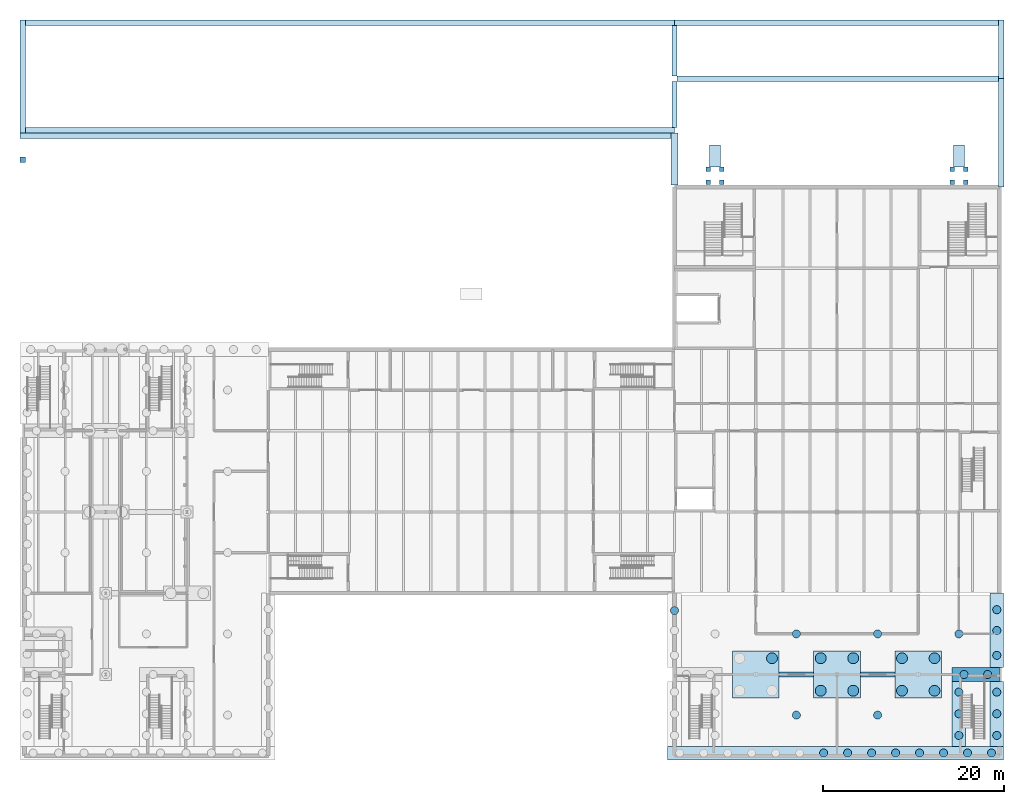
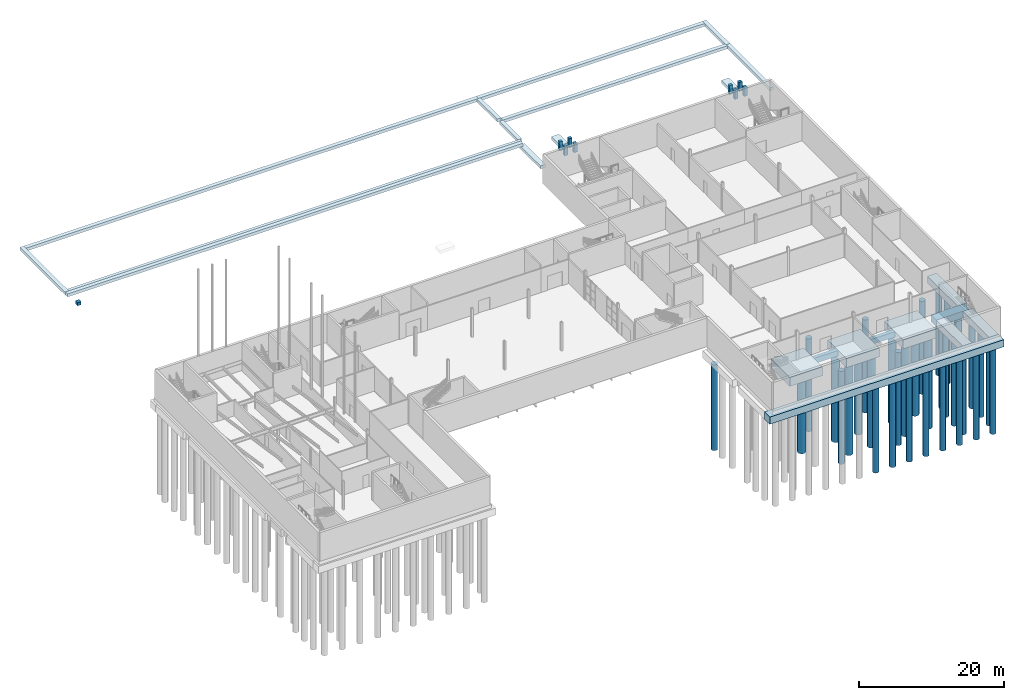
# One storey, part 2 of 31: 34 piles, 32 footings.
"""IFC4 building model written with IfcOpenShell, lengths in metres."""

import ifcopenshell
import ifcopenshell.guid

model = None  # the IFC model being written
_history = None  # IfcOwnerHistory: only IFC2X3 demands one
_inside = {}  # id of a spatial element -> (the spatial element, [elements in it])
_under = {}  # id of a project, library or spatial element -> (it, [spatial elements below it])
_declared = {}  # id of a project -> (the project, [libraries it declares])
_typed = {}  # id of a type object -> (the type object, [elements of that type])
_made_of = {}  # id of a material, layer set ... -> (it, [elements and type objects made of it])


def new_model(schema):
    """Start an empty IFC model of exactly this schema.

    Asked for "IFC4X3", IfcOpenShell would pick the latest addendum, in which some entities
    have other attributes; the version numbers below select the first issue.
    IFC2X3 requires an IfcOwnerHistory on every rooted entity: one is made here for all.
    """
    global model, _history
    if schema == "IFC4X3":
        model = ifcopenshell.file(schema_version=(4, 3, 0, 0))
    else:
        model = ifcopenshell.file(schema=schema)
    _inside.clear()
    _under.clear()
    _declared.clear()
    _typed.clear()
    _made_of.clear()
    _history = None
    if model.schema == "IFC2X3":
        org = make("IfcOrganization", Name="unknown")
        user = make(
            "IfcPersonAndOrganization",
            ThePerson=make("IfcPerson", FamilyName="unknown"),
            TheOrganization=org,
        )
        app = make(
            "IfcApplication",
            ApplicationDeveloper=org,
            Version="unknown",
            ApplicationFullName="unknown",
            ApplicationIdentifier="unknown",
        )
        _history = make(
            "IfcOwnerHistory",
            OwningUser=user,
            OwningApplication=app,
            ChangeAction="ADDED",
            CreationDate=0,
        )
    return model


def make(cls, **values):
    """One entity of the class cls with the attributes given. An attribute that is None is left unset."""
    return model.create_entity(
        cls, **{name: value for name, value in values.items() if value is not None}
    )


def rooted(cls, **values):
    """An entity with a GlobalId (a new one), such as an element, a storey or a relation."""
    return make(cls, GlobalId=ifcopenshell.guid.new(), OwnerHistory=_history, **values)


def si_unit(unit_type, name, prefix=None):
    """IfcSIUnit, for example si_unit("LENGTHUNIT", "METRE", prefix="MILLI")."""
    return make("IfcSIUnit", UnitType=unit_type, Prefix=prefix, Name=name)


def assignment(units):
    """IfcUnitAssignment: the units of a project."""
    return None if units is None else make("IfcUnitAssignment", Units=units)


def point(xyz):
    """IfcCartesianPoint."""
    return None if xyz is None else make("IfcCartesianPoint", Coordinates=xyz)


def direction(xyz):
    """IfcDirection."""
    return None if xyz is None else make("IfcDirection", DirectionRatios=xyz)


def frame(location, z_axis=None, x_axis=None):
    """IfcAxis2Placement3D, a coordinate frame: its origin and axes. An axis left out is left unset."""
    return make(
        "IfcAxis2Placement3D",
        Location=point(location),
        Axis=direction(z_axis),
        RefDirection=direction(x_axis),
    )


def frame_2d(location, x_axis=None):
    """IfcAxis2Placement2D, a coordinate frame in the plane: its origin and x axis."""
    return make(
        "IfcAxis2Placement2D", Location=point(location), RefDirection=direction(x_axis)
    )


def origin():
    """The frame at (0, 0, 0) with its axes left unset."""
    return frame((0.0, 0.0, 0.0))


def origin_2d():
    """The frame at (0, 0) in the plane with its x axis left unset."""
    return frame_2d((0.0, 0.0))


def place(relative_to, where):
    """IfcLocalPlacement: puts the frame where relative to a parent placement (None: the world)."""
    return make(
        "IfcLocalPlacement", PlacementRelTo=relative_to, RelativePlacement=where
    )


def context(
    kind, dimensions, precision=None, world=None, true_north=None, identifier=None
):
    """IfcGeometricRepresentationContext, for example the 3D "Model" context."""
    return make(
        "IfcGeometricRepresentationContext",
        ContextIdentifier=identifier,
        ContextType=kind,
        CoordinateSpaceDimension=dimensions,
        Precision=precision,
        WorldCoordinateSystem=world,
        TrueNorth=true_north,
    )


def subcontext(parent, identifier, kind, view, scale=None):
    """IfcGeometricRepresentationSubContext, for example "Body" below "Model"."""
    return make(
        "IfcGeometricRepresentationSubContext",
        ContextIdentifier=identifier,
        ContextType=kind,
        ParentContext=parent,
        TargetScale=scale,
        TargetView=view,
    )


def project(units=None, contexts=None):
    """IfcProject with its units and contexts."""
    return rooted(
        "IfcProject",
        Name="project",
        RepresentationContexts=contexts,
        UnitsInContext=assignment(units),
    )


def spatial(cls, under=None, at=None, **own):
    """A site, building, storey or space (cls), placed at a placement, below another one or the project."""
    s = rooted(cls, ObjectPlacement=at, **own)
    if under is not None:
        _under.setdefault(under.id(), (under, []))[1].append(s)
    return s


def polyline(points):
    """IfcPolyline through the points."""
    return make("IfcPolyline", Points=[point(p) for p in points])


def profile(cls, at=None, kind="AREA", **sizes):
    """A parametric profile (cls). Its sizes go by their IFC names, for example OverallWidth=200.0."""
    return make(cls, ProfileType=kind, Position=at, **sizes)


def circle(**sizes):
    """IfcCircleProfileDef."""
    return profile("IfcCircleProfileDef", **sizes)


def outline(outer, holes=None, kind="AREA"):
    """IfcArbitraryClosedProfileDef: a profile drawn as a closed curve; with holes, ...WithVoids."""
    if holes is None:
        return make("IfcArbitraryClosedProfileDef", ProfileType=kind, OuterCurve=outer)
    return make(
        "IfcArbitraryProfileDefWithVoids",
        ProfileType=kind,
        OuterCurve=outer,
        InnerCurves=holes,
    )


def extrude(swept, where, along, depth):
    """IfcExtrudedAreaSolid: the profile swept, set in the frame where, extruded along a direction by depth."""
    return make(
        "IfcExtrudedAreaSolid",
        SweptArea=swept,
        Position=where,
        ExtrudedDirection=direction(along),
        Depth=depth,
    )


def shape(context_of_items, identifier, shape_type, items):
    """IfcShapeRepresentation: the items that make up one representation, for example the "Body"."""
    return make(
        "IfcShapeRepresentation",
        ContextOfItems=context_of_items,
        RepresentationIdentifier=identifier,
        RepresentationType=shape_type,
        Items=items,
    )


def material(Name=None, Category=None):
    """IfcMaterial."""
    return make("IfcMaterial", Name=Name, Category=Category)


def layer(
    of_material, thickness, ventilated=None, Name=None, Category=None, Priority=None
):
    """IfcMaterialLayer: one layer of a wall or slab, of a material (None: an air gap)."""
    return make(
        "IfcMaterialLayer",
        Material=of_material,
        LayerThickness=thickness,
        IsVentilated=ventilated,
        Name=Name,
        Category=Category,
        Priority=Priority,
    )


def layer_set(layers, Name=None):
    """IfcMaterialLayerSet."""
    return make("IfcMaterialLayerSet", MaterialLayers=layers, LayerSetName=Name)


def material_profile(
    of_material, cross_section, Name=None, Category=None, Priority=None
):
    """IfcMaterialProfile: a cross section and its material."""
    return make(
        "IfcMaterialProfile",
        Name=Name,
        Material=of_material,
        Profile=cross_section,
        Priority=Priority,
        Category=Category,
    )


def profile_set(profiles, Name=None, composite=None):
    """IfcMaterialProfileSet."""
    return make(
        "IfcMaterialProfileSet",
        Name=Name,
        MaterialProfiles=profiles,
        CompositeProfile=composite,
    )


def made_of(thing, what):
    """Note that an element or type object is made of a material, layer set ...; save() writes the relation."""
    if what is not None:
        _made_of.setdefault(what.id(), (what, []))[1].append(thing)
    return thing


def type_object(cls, material=None, **own):
    """A type object (cls), such as IfcWallType, which elements share."""
    return made_of(rooted(cls, **own), material)


def element(
    cls,
    number,
    at=None,
    inside=None,
    cuts=None,
    type_object=None,
    material=None,
    context=None,
    identifier="Body",
    shape_type=None,
    held_by="IfcProductDefinitionShape",
    body=None,
    shapes=None,
    **own,
):
    """One element of the class cls, such as IfcWall. Its Tag is "e" and its number.

    at: its placement. inside: the storey or other place that contains it. cuts: it is an
    opening in that element (IfcRelVoidsElement). A single representation is given by context,
    identifier, shape_type and body (its items); several are given by shapes. held_by: the class
    of the entity that holds the representations. save() writes the other relations.
    """
    e = rooted(cls, Tag="e%d" % number, ObjectPlacement=at, **own)
    if body is not None:
        shapes = [shape(context, identifier, shape_type, body)]
    if shapes is not None:
        e.Representation = make(held_by, Representations=shapes)
    if inside is not None:
        _inside.setdefault(inside.id(), (inside, []))[1].append(e)
    if cuts is not None:
        rooted(
            "IfcRelVoidsElement", RelatingBuildingElement=cuts, RelatedOpeningElement=e
        )
    if type_object is not None:
        _typed.setdefault(type_object.id(), (type_object, []))[1].append(e)
    return made_of(e, material)


def aggregate(whole, parts):
    """IfcRelAggregates: a whole, such as a stair, and the parts it consists of."""
    return rooted("IfcRelAggregates", RelatingObject=whole, RelatedObjects=parts)


def save(model, path):
    """Write the relations noted so far, then the file.

    IfcRelAggregates (storeys below a building ...), IfcRelContainedInSpatialStructure (elements
    in a storey), IfcRelDefinesByType, IfcRelAssociatesMaterial and IfcRelDeclares: one each for
    every whole, place, type object, material and project.
    """
    for whole, parts in _under.values():
        aggregate(whole, parts)
    for where, things in _inside.values():
        rooted(
            "IfcRelContainedInSpatialStructure",
            RelatedElements=things,
            RelatingStructure=where,
        )
    for kind, things in _typed.values():
        rooted("IfcRelDefinesByType", RelatedObjects=things, RelatingType=kind)
    for what, things in _made_of.values():
        rooted("IfcRelAssociatesMaterial", RelatedObjects=things, RelatingMaterial=what)
    for by, libraries in _declared.values():
        rooted("IfcRelDeclares", RelatingContext=by, RelatedDefinitions=libraries)
    model.write(path)


model = new_model("IFC4")

# Units and contexts
model_context = context("Model", 3, precision=1e-05, world=origin(), true_north=direction((0.0, 1.0)))
body_context = subcontext(model_context, "Body", "Model", "MODEL_VIEW")
ifc_project = project(units=[si_unit("LENGTHUNIT", "METRE"), si_unit("AREAUNIT", "SQUARE_METRE"), si_unit("VOLUMEUNIT", "CUBIC_METRE"), si_unit("PLANEANGLEUNIT", "RADIAN"), si_unit("MASSUNIT", "GRAM", prefix="KILO")], contexts=[model_context])

# Site, building, storey
site_placement = place(None, origin())
site = spatial("IfcSite", under=ifc_project, at=site_placement, CompositionType="ELEMENT")
building_placement = place(site_placement, origin())
building = spatial("IfcBuilding", under=site, at=building_placement, Name="Halyard Row Museum", CompositionType="ELEMENT")
storey_placement = place(building_placement, frame((0.0, 0.0, -4.800048828125)))
storey = spatial("IfcBuildingStorey", under=building, at=storey_placement, Name="B1", CompositionType="ELEMENT", Elevation=-4.800048828125)

# Piles
ifc_material_1 = material(Name="Concrete 40 MPa", Category="concrete")
ifc_material_profile_1 = material_profile(ifc_material_1, circle(Radius=0.60009765625, at=origin_2d()), Name="Bored pile 1200 x 15.1")
ifc_profile_set_1 = profile_set([ifc_material_profile_1], Name="Concrete 40 MPa")
pile_type_1 = type_object("IfcPileType", Name="Bored pile 1200 x 15.1", PredefinedType="BORED", material=ifc_profile_set_1)
for number, where, z_axis, x_axis, name in (
    (1, (82.800048828125, 10.800048828125, -2.099853515625), (0.0, 0.0, -1.0), (1.0, 0.0, 0.0), "pile:B1:10B:4"),
    (2, (88.199951171875, 7.199951171875, -2.099853515625), (0.0, 0.0, -1.0), (1.0, 0.0, 0.0), "pile:B1:11B:1"),
    (3, (91.800048828125, 7.199951171875, -2.099853515625), (0.0, 0.0, -1.0), (1.0, 0.0, 0.0), "pile:B1:11B:2"),
    (4, (88.199951171875, 10.800048828125, -2.099853515625), (0.0, 0.0, -1.0), (1.0, 0.0, 0.0), "pile:B1:11B:3"),
    (5, (91.800048828125, 10.800048828125, -2.099853515625), (0.0, 0.0, -1.0), (1.0, 0.0, 0.0), "pile:B1:11B:4"),
    (6, (97.199951171875, 7.199951171875, -2.099853515625), (0.0, 0.0, -1.0), (1.0, 0.0, 0.0), "pile:B1:12B:1"),
    (7, (100.800048828125, 7.199951171875, -2.099853515625), (0.0, 0.0, -1.0), (1.0, 0.0, 0.0), "pile:B1:12B:2"),
    (8, (97.199951171875, 10.800048828125, -2.099853515625), (0.0, 0.0, -1.0), (1.0, 0.0, 0.0), "pile:B1:12B:3"),
    (9, (100.800048828125, 10.800048828125, -2.099853515625), (0.0, 0.0, -1.0), (1.0, 0.0, 0.0), "pile:B1:12B:4"),
):
    element("IfcPile", number, at=place(storey_placement, frame(where, z_axis=z_axis, x_axis=x_axis)), inside=storey, type_object=pile_type_1, Name=name, PredefinedType="BORED", context=body_context, shape_type="SweptSolid", body=[
        extrude(circle(Radius=0.60009765625, at=origin_2d()), origin(), (0.0, 0.0, 1.0), 15.10009765625),
    ])
ifc_material_2 = material(Name="Concrete 40 MPa", Category="concrete")
ifc_material_profile_2 = material_profile(ifc_material_2, circle(Radius=0.449951171875, at=origin_2d()), Name="Bored pile 900 x 14.4")
ifc_profile_set_2 = profile_set([ifc_material_profile_2], Name="Concrete 40 MPa")
pile_type_2 = type_object("IfcPileType", Name="Bored pile 900 x 14.4", PredefinedType="BORED", material=ifc_profile_set_2)
for number, where, z_axis, x_axis, name in (
    (10, (72.0, 16.074951171875, -1.800048828125), (0.0, 0.0, -1.0), (1.0, 0.0, 0.0), "pile:B1:50:3"),
    (11, (103.5, 2.25, -1.800048828125), (0.0, 0.0, -1.0), (1.0, 0.0, 0.0), "pile:B1:52:1"),
    (12, (103.5, 4.64990234375, -1.800048828125), (0.0, 0.0, -1.0), (1.0, 0.0, 0.0), "pile:B1:52:2"),
    (13, (103.5, 7.050048828125, -1.800048828125), (0.0, 0.0, -1.0), (1.0, 0.0, 0.0), "pile:B1:52:3"),
    (14, (107.699951171875, 2.25, -1.800048828125), (0.0, 0.0, -1.0), (1.0, 0.0, 0.0), "pile:B1:53:1"),
    (15, (107.699951171875, 4.64990234375, -1.800048828125), (0.0, 0.0, -1.0), (1.0, 0.0, 0.0), "pile:B1:53:2"),
    (16, (107.699951171875, 7.050048828125, -1.800048828125), (0.0, 0.0, -1.0), (1.0, 0.0, 0.0), "pile:B1:53:3"),
    (17, (107.699951171875, 11.125, -1.800048828125), (0.0, 0.0, -1.0), (1.0, 0.0, 0.0), "pile:B1:54:1"),
    (18, (107.699951171875, 13.875, -1.800048828125), (0.0, 0.0, -1.0), (1.0, 0.0, 0.0), "pile:B1:54:2"),
    (19, (107.699951171875, 16.175048828125, -1.800048828125), (0.0, 0.0, -1.0), (1.0, 0.0, 0.0), "pile:B1:54:3"),
    (20, (88.521484375, 0.300048828125, -1.800048828125), (0.0, 0.0, -1.0), (1.0, 0.0, 0.0), "pile:B1:56:7"),
    (21, (91.178466796875, 0.300048828125, -1.800048828125), (0.0, 0.0, -1.0), (1.0, 0.0, 0.0), "pile:B1:56:8"),
    (22, (93.835693359375, 0.300048828125, -1.800048828125), (0.0, 0.0, -1.0), (1.0, 0.0, 0.0), "pile:B1:56:9"),
    (23, (96.492919921875, 0.300048828125, -1.800048828125), (0.0, 0.0, -1.0), (1.0, 0.0, 0.0), "pile:B1:56:10"),
    (24, (99.14990234375, 0.300048828125, -1.800048828125), (0.0, 0.0, -1.0), (1.0, 0.0, 0.0), "pile:B1:56:11"),
    (25, (101.80712890625, 0.300048828125, -1.800048828125), (0.0, 0.0, -1.0), (1.0, 0.0, 0.0), "pile:B1:56:12"),
    (26, (104.46435546875, 0.300048828125, -1.800048828125), (0.0, 0.0, -1.0), (1.0, 0.0, 0.0), "pile:B1:56:13"),
    (27, (107.121337890625, 0.300048828125, -1.800048828125), (0.0, 0.0, -1.0), (1.0, 0.0, 0.0), "pile:B1:56:14"),
    (28, (104.0625, 9.0, -1.800048828125), (0.0, 0.0, -1.0), (1.0, 0.0, 0.0), "pile:B1:60:1"),
    (29, (106.6875, 9.0, -1.800048828125), (0.0, 0.0, -1.0), (1.0, 0.0, 0.0), "pile:B1:60:2"),
):
    element("IfcPile", number, at=place(storey_placement, frame(where, z_axis=z_axis, x_axis=x_axis)), inside=storey, type_object=pile_type_2, Name=name, PredefinedType="BORED", context=body_context, shape_type="SweptSolid", body=[
        extrude(circle(Radius=0.449951171875, at=origin_2d()), origin(), (0.0, 0.0, 1.0), 14.39990234375),
    ])
ifc_material_3 = material(Name="Concrete 40 MPa", Category="concrete")
ifc_material_profile_3 = material_profile(ifc_material_3, circle(Radius=0.449951171875, at=origin_2d()), Name="Bored pile 900 x 15.6")
ifc_profile_set_3 = profile_set([ifc_material_profile_3], Name="Concrete 40 MPa")
pile_type_3 = type_object("IfcPileType", Name="Bored pile 900 x 15.6", PredefinedType="BORED", material=ifc_profile_set_3)
for number, where, z_axis, x_axis, name in (
    (30, (85.5, 4.5, -0.599853515625), (0.0, 0.0, -1.0), (1.0, 0.0, 0.0), "pile:B1:ten02"),
    (31, (94.5, 4.5, -0.599853515625), (0.0, 0.0, -1.0), (1.0, 0.0, 0.0), "pile:B1:ten03"),
    (32, (85.5, 13.5, -0.599853515625), (0.0, 0.0, -1.0), (1.0, 0.0, 0.0), "pile:B1:ten07"),
    (33, (94.5, 13.5, -0.599853515625), (0.0, 0.0, -1.0), (1.0, 0.0, 0.0), "pile:B1:ten08"),
    (34, (103.5, 13.5, -0.599853515625), (0.0, 0.0, -1.0), (1.0, 0.0, 0.0), "pile:B1:ten09"),
):
    element("IfcPile", number, at=place(storey_placement, frame(where, z_axis=z_axis, x_axis=x_axis)), inside=storey, type_object=pile_type_3, Name=name, PredefinedType="BORED", context=body_context, shape_type="SweptSolid", body=[
        extrude(circle(Radius=0.449951171875, at=origin_2d()), origin(), (0.0, 0.0, 1.0), 15.60009765625),
    ])

# Footings
ifc_material_4 = material(Name="Concrete 40 MPa", Category="concrete")
footing_type_1 = type_object("IfcFootingType", Name="Ground beam", PredefinedType="FOOTING_BEAM", material=ifc_material_4)
footing_1_placement = place(storey_placement, frame((0.0, 0.0, -1.5)))
element("IfcFooting", 35, at=footing_1_placement, inside=storey, type_object=footing_type_1, Name="Ground beam B1-032", PredefinedType="FOOTING_BEAM", context=body_context, shape_type="SweptSolid", body=[
    extrude(outline(polyline([(83.60009765625, 8.699951171875), (87.39990234375, 8.699951171875), (87.39990234375, 9.300048828125), (83.60009765625, 9.300048828125), (83.60009765625, 8.699951171875)])), origin(), (0.0, 0.0, 1.0), 0.900146484375),
])
footing_2_placement = place(storey_placement, frame((0.0, 0.0, -1.5)))
element("IfcFooting", 36, at=footing_2_placement, inside=storey, type_object=footing_type_1, Name="Ground beam B1-033", PredefinedType="FOOTING_BEAM", context=body_context, shape_type="SweptSolid", body=[
    extrude(outline(polyline([(92.60009765625, 8.699951171875), (96.39990234375, 8.699951171875), (96.39990234375, 9.300048828125), (92.60009765625, 9.300048828125), (92.60009765625, 8.699951171875)])), origin(), (0.0, 0.0, 1.0), 0.900146484375),
])
ifc_material_5 = material(Name="Concrete 40 MPa", Category="concrete")
footing_type_2 = type_object("IfcFootingType", Name="Pile cap 4 piles 1200", PredefinedType="PILE_CAP", material=ifc_material_5)
footing_3_placement = place(storey_placement, frame((0.0, 0.0, -2.099853515625)))
element("IfcFooting", 37, at=footing_3_placement, inside=storey, type_object=footing_type_2, Name="Pile cap 10B B1", PredefinedType="PILE_CAP", context=body_context, shape_type="SweptSolid", body=[
    extrude(outline(polyline([(78.39990234375, 6.39990234375), (83.60009765625, 6.39990234375), (83.60009765625, 11.60009765625), (78.39990234375, 11.60009765625), (78.39990234375, 6.39990234375)])), origin(), (0.0, 0.0, 1.0), 1.5),
])
footing_4_placement = place(storey_placement, frame((0.0, 0.0, -2.099853515625)))
element("IfcFooting", 38, at=footing_4_placement, inside=storey, type_object=footing_type_2, Name="Pile cap 11B B1", PredefinedType="PILE_CAP", context=body_context, shape_type="SweptSolid", body=[
    extrude(outline(polyline([(87.39990234375, 6.39990234375), (92.60009765625, 6.39990234375), (92.60009765625, 11.60009765625), (87.39990234375, 11.60009765625), (87.39990234375, 6.39990234375)])), origin(), (0.0, 0.0, 1.0), 1.5),
])
footing_5_placement = place(storey_placement, frame((0.0, 0.0, -2.099853515625)))
element("IfcFooting", 39, at=footing_5_placement, inside=storey, type_object=footing_type_2, Name="Pile cap 12B B1", PredefinedType="PILE_CAP", context=body_context, shape_type="SweptSolid", body=[
    extrude(outline(polyline([(96.39990234375, 6.39990234375), (101.60009765625, 6.39990234375), (101.60009765625, 11.60009765625), (96.39990234375, 11.60009765625), (96.39990234375, 6.39990234375)])), origin(), (0.0, 0.0, 1.0), 1.5),
])
ifc_material_6 = material(Name="Concrete 40 MPa", Category="concrete")
ifc_layer_1 = layer(ifc_material_6, 0.5)
ifc_layer_set_1 = layer_set([ifc_layer_1], Name="Concrete 40 MPa")
footing_type_3 = type_object("IfcFootingType", Name="Step footing 500 reinforced concrete", PredefinedType="PAD_FOOTING", material=ifc_layer_set_1)
footing_6_placement = place(storey_placement, frame((0.0, 0.0, 3.10009765625)))
element("IfcFooting", 40, at=footing_6_placement, inside=storey, type_object=footing_type_3, Name="Step footing K5A", PredefinedType="PAD_FOOTING", context=body_context, shape_type="SweptSolid", body=[
    extrude(outline(polyline([(75.89990234375, 65.199951171875), (77.10009765625, 65.199951171875), (77.10009765625, 67.64990234375), (75.89990234375, 67.64990234375), (75.89990234375, 65.199951171875)])), origin(), (0.0, 0.0, 1.0), 0.5),
])
footing_7_placement = place(storey_placement, frame((0.0, 0.0, 3.10009765625)))
element("IfcFooting", 41, at=footing_7_placement, inside=storey, type_object=footing_type_3, Name="Step footing K5B", PredefinedType="PAD_FOOTING", context=body_context, shape_type="SweptSolid", body=[
    extrude(outline(polyline([(102.89990234375, 65.199951171875), (104.10009765625, 65.199951171875), (104.10009765625, 67.64990234375), (102.89990234375, 67.64990234375), (102.89990234375, 65.199951171875)])), origin(), (0.0, 0.0, 1.0), 0.5),
])
ifc_material_7 = material(Name="Concrete 40 MPa", Category="concrete")
ifc_layer_2 = layer(ifc_material_7, 1.0)
ifc_layer_set_2 = layer_set([ifc_layer_2], Name="Concrete 40 MPa")
footing_type_4 = type_object("IfcFootingType", Name="Stoop pier 500 reinforced concrete", PredefinedType="PAD_FOOTING", material=ifc_layer_set_2)
footing_8_placement = place(storey_placement, frame((0.0, 0.0, 3.10009765625)))
element("IfcFooting", 42, at=footing_8_placement, inside=storey, type_object=footing_type_4, Name="Stoop pier K5A-1", PredefinedType="PAD_FOOTING", context=body_context, shape_type="SweptSolid", body=[
    extrude(outline(polyline([(75.5, 63.300048828125), (76.0, 63.300048828125), (76.0, 63.800048828125), (75.5, 63.800048828125), (75.5, 63.300048828125)])), origin(), (0.0, 0.0, 1.0), 1.5),
])
footing_9_placement = place(storey_placement, frame((0.0, 0.0, 3.10009765625)))
element("IfcFooting", 43, at=footing_9_placement, inside=storey, type_object=footing_type_4, Name="Stoop pier K5A-2", PredefinedType="PAD_FOOTING", context=body_context, shape_type="SweptSolid", body=[
    extrude(outline(polyline([(77.0, 63.300048828125), (77.5, 63.300048828125), (77.5, 63.800048828125), (77.0, 63.800048828125), (77.0, 63.300048828125)])), origin(), (0.0, 0.0, 1.0), 1.5),
])
footing_10_placement = place(storey_placement, frame((0.0, 0.0, 3.10009765625)))
element("IfcFooting", 44, at=footing_10_placement, inside=storey, type_object=footing_type_4, Name="Stoop pier K5A-3", PredefinedType="PAD_FOOTING", context=body_context, shape_type="SweptSolid", body=[
    extrude(outline(polyline([(75.5, 64.699951171875), (76.0, 64.699951171875), (76.0, 65.199951171875), (75.5, 65.199951171875), (75.5, 64.699951171875)])), origin(), (0.0, 0.0, 1.0), 1.5),
])
footing_11_placement = place(storey_placement, frame((0.0, 0.0, 3.10009765625)))
element("IfcFooting", 45, at=footing_11_placement, inside=storey, type_object=footing_type_4, Name="Stoop pier K5A-4", PredefinedType="PAD_FOOTING", context=body_context, shape_type="SweptSolid", body=[
    extrude(outline(polyline([(77.0, 64.699951171875), (77.5, 64.699951171875), (77.5, 65.199951171875), (77.0, 65.199951171875), (77.0, 64.699951171875)])), origin(), (0.0, 0.0, 1.0), 1.5),
])
footing_12_placement = place(storey_placement, frame((0.0, 0.0, 3.10009765625)))
element("IfcFooting", 46, at=footing_12_placement, inside=storey, type_object=footing_type_4, Name="Stoop pier K5B-1", PredefinedType="PAD_FOOTING", context=body_context, shape_type="SweptSolid", body=[
    extrude(outline(polyline([(102.5, 63.300048828125), (103.0, 63.300048828125), (103.0, 63.800048828125), (102.5, 63.800048828125), (102.5, 63.300048828125)])), origin(), (0.0, 0.0, 1.0), 1.5),
])
footing_13_placement = place(storey_placement, frame((0.0, 0.0, 3.10009765625)))
element("IfcFooting", 47, at=footing_13_placement, inside=storey, type_object=footing_type_4, Name="Stoop pier K5B-2", PredefinedType="PAD_FOOTING", context=body_context, shape_type="SweptSolid", body=[
    extrude(outline(polyline([(104.0, 63.300048828125), (104.5, 63.300048828125), (104.5, 63.800048828125), (104.0, 63.800048828125), (104.0, 63.300048828125)])), origin(), (0.0, 0.0, 1.0), 1.5),
])
footing_14_placement = place(storey_placement, frame((0.0, 0.0, 3.10009765625)))
element("IfcFooting", 48, at=footing_14_placement, inside=storey, type_object=footing_type_4, Name="Stoop pier K5B-3", PredefinedType="PAD_FOOTING", context=body_context, shape_type="SweptSolid", body=[
    extrude(outline(polyline([(102.5, 64.699951171875), (103.0, 64.699951171875), (103.0, 65.199951171875), (102.5, 65.199951171875), (102.5, 64.699951171875)])), origin(), (0.0, 0.0, 1.0), 1.5),
])
footing_15_placement = place(storey_placement, frame((0.0, 0.0, 3.10009765625)))
element("IfcFooting", 49, at=footing_15_placement, inside=storey, type_object=footing_type_4, Name="Stoop pier K5B-4", PredefinedType="PAD_FOOTING", context=body_context, shape_type="SweptSolid", body=[
    extrude(outline(polyline([(104.0, 64.699951171875), (104.5, 64.699951171875), (104.5, 65.199951171875), (104.0, 65.199951171875), (104.0, 64.699951171875)])), origin(), (0.0, 0.0, 1.0), 1.5),
])
ifc_material_8 = material(Name="Concrete 40 MPa", Category="concrete")
footing_type_5 = type_object("IfcFootingType", Name="Wall strip footing", PredefinedType="STRIP_FOOTING", material=ifc_material_8)
footing_16_placement = place(storey_placement, frame((0.0, 0.0, -1.800048828125)))
element("IfcFooting", 50, at=footing_16_placement, inside=storey, type_object=footing_type_5, Name="Wall strip footing B1-52", PredefinedType="STRIP_FOOTING", context=body_context, shape_type="SweptSolid", body=[
    extrude(outline(polyline([(102.75, 1.050048828125), (104.25, 1.050048828125), (104.25, 8.25), (102.75, 8.25), (102.75, 1.050048828125)])), origin(), (0.0, 0.0, 1.0), 1.2001953125),
])
footing_17_placement = place(storey_placement, frame((0.0, 0.0, -1.800048828125)))
element("IfcFooting", 51, at=footing_17_placement, inside=storey, type_object=footing_type_5, Name="Wall strip footing B1-53", PredefinedType="STRIP_FOOTING", context=body_context, shape_type="SweptSolid", body=[
    extrude(outline(polyline([(106.949951171875, 1.050048828125), (108.449951171875, 1.050048828125), (108.449951171875, 8.25), (106.949951171875, 8.25), (106.949951171875, 1.050048828125)])), origin(), (0.0, 0.0, 1.0), 1.2001953125),
])
footing_18_placement = place(storey_placement, frame((0.0, 0.0, -1.800048828125)))
element("IfcFooting", 52, at=footing_18_placement, inside=storey, type_object=footing_type_5, Name="Wall strip footing B1-54", PredefinedType="STRIP_FOOTING", context=body_context, shape_type="SweptSolid", body=[
    extrude(outline(polyline([(106.949951171875, 9.75), (108.449951171875, 9.75), (108.449951171875, 18.0), (106.949951171875, 18.0), (106.949951171875, 9.75)])), origin(), (0.0, 0.0, 1.0), 1.2001953125),
])
footing_19_placement = place(storey_placement, frame((0.0, 0.0, -1.800048828125)))
element("IfcFooting", 53, at=footing_19_placement, inside=storey, type_object=footing_type_5, Name="Wall strip footing B1-56", PredefinedType="STRIP_FOOTING", context=body_context, shape_type="SweptSolid", body=[
    extrude(outline(polyline([(71.25, -0.449951171875), (108.449951171875, -0.449951171875), (108.449951171875, 1.050048828125), (71.25, 1.050048828125), (71.25, -0.449951171875)])), origin(), (0.0, 0.0, 1.0), 1.2001953125),
])
footing_20_placement = place(storey_placement, frame((0.0, 0.0, -1.800048828125)))
element("IfcFooting", 54, at=footing_20_placement, inside=storey, type_object=footing_type_5, Name="Wall strip footing B1-60", PredefinedType="STRIP_FOOTING", context=body_context, shape_type="SweptSolid", body=[
    extrude(outline(polyline([(102.75, 8.25), (108.0, 8.25), (108.0, 9.75), (102.75, 9.75), (102.75, 8.25)])), origin(), (0.0, 0.0, 1.0), 1.2001953125),
])
ifc_material_9 = material(Name="Concrete 40 MPa", Category="concrete")
ifc_layer_3 = layer(ifc_material_9, 0.5)
ifc_layer_set_3 = layer_set([ifc_layer_3], Name="Concrete 40 MPa")
footing_type_6 = type_object("IfcFootingType", Name="Yard edge footing 600 x 500 reinforced concrete", PredefinedType="STRIP_FOOTING", material=ifc_layer_set_3)
footing_21_placement = place(storey_placement, frame((0.0, 0.0, 2.85009765625)))
element("IfcFooting", 55, at=footing_21_placement, inside=storey, type_object=footing_type_6, Name="Yard edge footing west edge", PredefinedType="STRIP_FOOTING", context=body_context, shape_type="SweptSolid", body=[
    extrude(outline(polyline([(-0.5, 69.0), (0.10009765625, 69.0), (0.10009765625, 81.5), (-0.5, 81.5), (-0.5, 69.0)])), origin(), (0.0, 0.0, 1.0), 0.5),
])
footing_22_placement = place(storey_placement, frame((0.0, 0.0, 2.85009765625)))
element("IfcFooting", 56, at=footing_22_placement, inside=storey, type_object=footing_type_6, Name="Yard edge footing south edge west", PredefinedType="STRIP_FOOTING", context=body_context, shape_type="SweptSolid", body=[
    extrude(outline(polyline([(-0.5, 80.89990234375), (72.0, 80.89990234375), (72.0, 81.5), (-0.5, 81.5), (-0.5, 80.89990234375)])), origin(), (0.0, 0.0, 1.0), 0.5),
])
footing_23_placement = place(storey_placement, frame((0.0, 0.0, 2.85009765625)))
element("IfcFooting", 57, at=footing_23_placement, inside=storey, type_object=footing_type_6, Name="Yard edge footing south edge east", PredefinedType="STRIP_FOOTING", context=body_context, shape_type="SweptSolid", body=[
    extrude(outline(polyline([(72.0, 80.89990234375), (108.5, 80.89990234375), (108.5, 81.5), (72.0, 81.5), (72.0, 80.89990234375)])), origin(), (0.0, 0.0, 1.0), 0.5),
])
footing_24_placement = place(storey_placement, frame((0.0, 0.0, 2.85009765625)))
element("IfcFooting", 58, at=footing_24_placement, inside=storey, type_object=footing_type_6, Name="Yard edge footing east edge yard", PredefinedType="STRIP_FOOTING", context=body_context, shape_type="SweptSolid", body=[
    extrude(outline(polyline([(107.89990234375, 75.0), (108.5, 75.0), (108.5, 81.5), (107.89990234375, 81.5), (107.89990234375, 75.0)])), origin(), (0.0, 0.0, 1.0), 0.5),
])
footing_25_placement = place(storey_placement, frame((0.0, 0.0, 2.85009765625)))
element("IfcFooting", 59, at=footing_25_placement, inside=storey, type_object=footing_type_6, Name="Yard edge footing east edge apron", PredefinedType="STRIP_FOOTING", context=body_context, shape_type="SweptSolid", body=[
    extrude(outline(polyline([(107.89990234375, 63.0), (108.5, 63.0), (108.5, 75.0), (107.89990234375, 75.0), (107.89990234375, 63.0)])), origin(), (0.0, 0.0, 1.0), 0.5),
])
footing_26_placement = place(storey_placement, frame((0.0, 0.0, 2.85009765625)))
element("IfcFooting", 60, at=footing_26_placement, inside=storey, type_object=footing_type_6, Name="Yard edge footing yard fall edge", PredefinedType="STRIP_FOOTING", context=body_context, shape_type="SweptSolid", body=[
    extrude(outline(polyline([(-0.5, 69.0), (72.0, 69.0), (72.0, 69.60009765625), (-0.5, 69.60009765625), (-0.5, 69.0)])), origin(), (0.0, 0.0, 1.0), 0.5),
])
footing_27_placement = place(storey_placement, frame((0.0, 0.0, 2.85009765625)))
element("IfcFooting", 61, at=footing_27_placement, inside=storey, type_object=footing_type_6, Name="Yard edge footing apron joint", PredefinedType="STRIP_FOOTING", context=body_context, shape_type="SweptSolid", body=[
    extrude(outline(polyline([(72.300048828125, 74.699951171875), (107.89990234375, 74.699951171875), (107.89990234375, 75.300048828125), (72.300048828125, 75.300048828125), (72.300048828125, 74.699951171875)])), origin(), (0.0, 0.0, 1.0), 0.5),
])
footing_28_placement = place(storey_placement, frame((0.0, 0.0, 2.85009765625)))
element("IfcFooting", 62, at=footing_28_placement, inside=storey, type_object=footing_type_6, Name="Yard edge footing east joint", PredefinedType="STRIP_FOOTING", context=body_context, shape_type="SweptSolid", body=[
    extrude(outline(polyline([(71.699951171875, 75.300048828125), (72.300048828125, 75.300048828125), (72.300048828125, 80.89990234375), (71.699951171875, 80.89990234375), (71.699951171875, 75.300048828125)])), origin(), (0.0, 0.0, 1.0), 0.5),
])
footing_29_placement = place(storey_placement, frame((0.0, 0.0, 2.85009765625)))
element("IfcFooting", 63, at=footing_29_placement, inside=storey, type_object=footing_type_6, Name="Yard edge footing west joint", PredefinedType="STRIP_FOOTING", context=body_context, shape_type="SweptSolid", body=[
    extrude(outline(polyline([(71.699951171875, 69.60009765625), (72.300048828125, 69.60009765625), (72.300048828125, 74.699951171875), (71.699951171875, 74.699951171875), (71.699951171875, 69.60009765625)])), origin(), (0.0, 0.0, 1.0), 0.5),
])
footing_30_placement = place(storey_placement, frame((0.0, 0.0, 2.949951171875)))
element("IfcFooting", 64, at=footing_30_placement, inside=storey, type_object=footing_type_6, Name="Yard edge footing paving edge", PredefinedType="STRIP_FOOTING", context=body_context, shape_type="SweptSolid", body=[
    extrude(outline(polyline([(-0.5, 68.39990234375), (71.800048828125, 68.39990234375), (71.800048828125, 69.0), (-0.5, 69.0), (-0.5, 68.39990234375)])), origin(), (0.0, 0.0, 1.0), 0.5),
])
footing_31_placement = place(storey_placement, frame((0.0, 0.0, 3.10009765625)))
element("IfcFooting", 65, at=footing_31_placement, inside=storey, type_object=footing_type_6, Name="Yard edge footing paving west", PredefinedType="STRIP_FOOTING", context=body_context, shape_type="SweptSolid", body=[
    extrude(outline(polyline([(-0.5, 65.699951171875), (0.10009765625, 65.699951171875), (0.10009765625, 66.300048828125), (-0.5, 66.300048828125), (-0.5, 65.699951171875)])), origin(), (0.0, 0.0, 1.0), 0.5),
])
footing_32_placement = place(storey_placement, frame((0.0, 0.0, 2.35009765625)))
element("IfcFooting", 66, at=footing_32_placement, inside=storey, type_object=footing_type_6, Name="Yard retaining wall footing", PredefinedType="STRIP_FOOTING", context=body_context, shape_type="SweptSolid", body=[
    extrude(outline(polyline([(71.60009765625, 63.199951171875), (72.39990234375, 63.199951171875), (72.39990234375, 69.0), (71.60009765625, 69.0), (71.60009765625, 63.199951171875)])), origin(), (0.0, 0.0, 1.0), 0.5),
])

save(model, "model.ifc")
